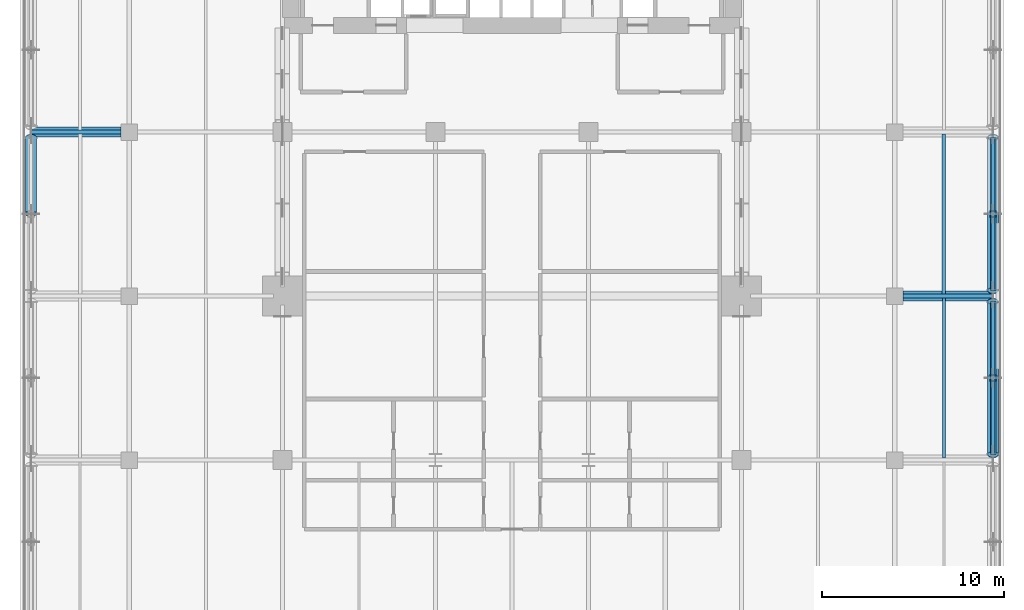
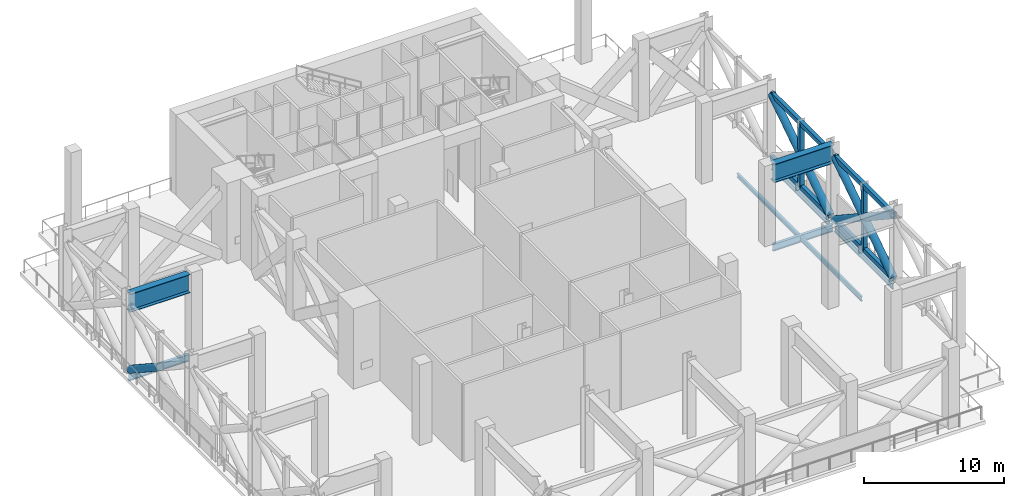
# One storey, part 4 of 16: 12 members, 8 beams.
"""IFC4 building model written with IfcOpenShell, lengths in metres."""

from ifc_helpers import new_model, si_unit, direction, frame, origin, origin_2d, place, context, subcontext, project, spatial, hollow_rectangle, hollow_circle, i_section, extrude, material, material_profile, profile_set, type_object, element, save


model = new_model("IFC4")

# Units and contexts
model_context = context("Model", 3, precision=1e-05, world=origin(), true_north=direction((0.0, 1.0)))
body_context = subcontext(model_context, "Body", "Model", "MODEL_VIEW")
ifc_project = project(units=[si_unit("LENGTHUNIT", "METRE"), si_unit("AREAUNIT", "SQUARE_METRE"), si_unit("VOLUMEUNIT", "CUBIC_METRE"), si_unit("PLANEANGLEUNIT", "RADIAN"), si_unit("MASSUNIT", "GRAM", prefix="KILO")], contexts=[model_context])

# Site, building, storey
site_placement = place(None, origin())
site = spatial("IfcSite", under=ifc_project, at=site_placement, CompositionType="ELEMENT")
building_placement = place(site_placement, origin())
building = spatial("IfcBuilding", under=site, at=building_placement, Name="Maruvema Waterfront Hotel and Observation Tower", CompositionType="ELEMENT")
storey_placement = place(building_placement, frame((0.0, 0.0, 115.5)))
storey = spatial("IfcBuildingStorey", under=building, at=storey_placement, Name="L28", CompositionType="ELEMENT", Elevation=115.5)

# Members
ifc_material_1 = material(Name="Steel ABNT NBR 7007 AR 415 (ASTM A572 Grade 50)", Category="steel")
ifc_material_profile_1 = material_profile(ifc_material_1, hollow_rectangle(XDim=0.300048828125, YDim=0.39990234375, WallThickness=0.02001953125, at=origin_2d()), Name="RHS400x300x20.0")
ifc_profile_set_1 = profile_set([ifc_material_profile_1], Name="Steel ABNT NBR 7007 AR 415 (ASTM A572 Grade 50)")
member_type_1 = type_object("IfcMemberType", Name="Perimeter Belt Truss Chord RHS400x300x20.0", PredefinedType="CHORD", material=ifc_profile_set_1)
for number, where, z_axis, x_axis, name in (
    (1, (64.199951171875, 18.300048828125, 0.25), (0.0, 1.0, 0.0), (-1.0, 0.0, 0.0), "L28 Perimeter Belt Truss Chord E6"),
    (2, (64.199951171875, 18.300048828125, 5.780029296875), (0.0, 1.0, 0.0), (-1.0, 0.0, 0.0), "L28 Perimeter Belt Truss Top Chord E6"),
    (3, (64.199951171875, 27.300048828125, 0.25), (0.0, 1.0, 0.0), (-1.0, 0.0, 0.0), "L28 Perimeter Belt Truss Chord E7"),
    (4, (64.199951171875, 27.300048828125, 5.780029296875), (0.0, 1.0, 0.0), (-1.0, 0.0, 0.0), "L28 Perimeter Belt Truss Top Chord E7"),
):
    element("IfcMember", number, at=place(storey_placement, frame(where, z_axis=z_axis, x_axis=x_axis)), inside=storey, type_object=member_type_1, Name=name, PredefinedType="CHORD", context=body_context, shape_type="SweptSolid", body=[
        extrude(hollow_rectangle(XDim=0.300048828125, YDim=0.39990234375, WallThickness=0.02001953125, at=origin_2d()), origin(), (0.0, 0.0, 1.0), 8.39990234375),
    ])
ifc_material_2 = material(Name="Steel ABNT NBR 7007 AR 350 (ASTM A572 Grade 50)", Category="steel")
ifc_material_profile_2 = material_profile(ifc_material_2, hollow_circle(Radius=0.304931640625, WallThickness=0.02490234375, at=origin_2d()), Name="CHS610.0x25.0")
ifc_profile_set_2 = profile_set([ifc_material_profile_2], Name="Steel ABNT NBR 7007 AR 350 (ASTM A572 Grade 50)")
member_type_2 = type_object("IfcMemberType", Name="Perimeter Belt Truss Diagonal CHS610.0x25.0", PredefinedType="BRACE", material=ifc_profile_set_2)
member_1_placement = place(storey_placement, frame((11.39990234375, 35.699951171875, 0.25), z_axis=(0.0, -0.835260962729, 0.549853729769), x_axis=(1.0, 0.0, 0.0)))
element("IfcMember", 5, at=member_1_placement, inside=storey, type_object=member_type_2, Name="L28 Perimeter Belt Truss Diagonal W3 Split Lower B1", PredefinedType="BRACE", context=body_context, shape_type="SweptSolid", body=[
    extrude(hollow_circle(Radius=0.304931640625, WallThickness=0.02490234375, at=origin_2d()), origin(), (0.0, 0.0, 1.0), 5.008544921875),
])
member_2_placement = place(storey_placement, frame((64.199951171875, 18.300048828125, 0.25), z_axis=(0.0, 0.835244562072, 0.549878642547), x_axis=(-1.0, 0.0, 0.0)))
element("IfcMember", 6, at=member_2_placement, inside=storey, type_object=member_type_2, Name="L28 Perimeter Belt Truss Diagonal E6 Continuous A", PredefinedType="BRACE", context=body_context, shape_type="SweptSolid", body=[
    extrude(hollow_circle(Radius=0.304931640625, WallThickness=0.02490234375, at=origin_2d()), origin(), (0.0, 0.0, 1.0), 10.056884765625),
])
for number, where, z_axis, x_axis, name in (
    (7, (64.199951171875, 26.699951171875, 0.25), (0.0, -0.835260962729, 0.549853729769), (1.0, 0.0, 0.0), "L28 Perimeter Belt Truss Diagonal E6 Split Lower B1"),
    (8, (64.199951171875, 22.4833984375, 3.02587890625), (0.0, -0.835238575042, 0.549887736507), (1.0, 0.0, 0.0), "L28 Perimeter Belt Truss Diagonal E6 Split Upper B2"),
):
    element("IfcMember", number, at=place(storey_placement, frame(where, z_axis=z_axis, x_axis=x_axis)), inside=storey, type_object=member_type_2, Name=name, PredefinedType="BRACE", context=body_context, shape_type="SweptSolid", body=[
        extrude(hollow_circle(Radius=0.304931640625, WallThickness=0.02490234375, at=origin_2d()), origin(), (0.0, 0.0, 1.0), 5.008544921875),
    ])
member_3_placement = place(storey_placement, frame((64.199951171875, 27.300048828125, 0.25), z_axis=(0.0, 0.835244562072, 0.549878642547), x_axis=(-1.0, 0.0, 0.0)))
element("IfcMember", 9, at=member_3_placement, inside=storey, type_object=member_type_2, Name="L28 Perimeter Belt Truss Diagonal E7 Continuous A", PredefinedType="BRACE", context=body_context, shape_type="SweptSolid", body=[
    extrude(hollow_circle(Radius=0.304931640625, WallThickness=0.02490234375, at=origin_2d()), origin(), (0.0, 0.0, 1.0), 10.056884765625),
])
member_4_placement = place(storey_placement, frame((64.199951171875, 31.4833984375, 3.02587890625), z_axis=(0.0, -0.835238575042, 0.549887736507), x_axis=(1.0, 0.0, 0.0)))
element("IfcMember", 10, at=member_4_placement, inside=storey, type_object=member_type_2, Name="L28 Perimeter Belt Truss Diagonal E7 Split Upper B2", PredefinedType="BRACE", context=body_context, shape_type="SweptSolid", body=[
    extrude(hollow_circle(Radius=0.304931640625, WallThickness=0.02490234375, at=origin_2d()), origin(), (0.0, 0.0, 1.0), 5.008544921875),
])
ifc_material_3 = material(Name="Steel ABNT NBR 7007 AR 415 (ASTM A572 Grade 50)", Category="steel")
ifc_material_profile_3 = material_profile(ifc_material_3, hollow_rectangle(XDim=0.35009765625, YDim=0.35009765625, WallThickness=0.02001953125, at=origin_2d()), Name="SHS350x350x20.0")
ifc_profile_set_3 = profile_set([ifc_material_profile_3], Name="Steel ABNT NBR 7007 AR 415 (ASTM A572 Grade 50)")
member_type_3 = type_object("IfcMemberType", Name="Perimeter Belt Truss Post SHS350x350x20.0", PredefinedType="POST", material=ifc_profile_set_3)
for number, where, z_axis, x_axis, name in (
    (11, (64.199951171875, 22.5, 0.25), (0.0, 0.0, 1.0), (1.0, 0.0, 0.0), "L28 Perimeter Belt Truss Post E6"),
    (12, (64.199951171875, 31.5, 0.25), (0.0, 0.0, 1.0), (1.0, 0.0, 0.0), "L28 Perimeter Belt Truss Post E7"),
):
    element("IfcMember", number, at=place(storey_placement, frame(where, z_axis=z_axis, x_axis=x_axis)), inside=storey, type_object=member_type_3, Name=name, PredefinedType="POST", context=body_context, shape_type="SweptSolid", body=[
        extrude(hollow_rectangle(XDim=0.35009765625, YDim=0.35009765625, WallThickness=0.02001953125, at=origin_2d()), origin(), (0.0, 0.0, 1.0), 5.530029296875),
    ])

# Beams
ifc_material_4 = material(Name="Steel ASTM A572 Grade 50", Category="steel")
ifc_material_profile_4 = material_profile(ifc_material_4, i_section(OverallWidth=0.153076171875, OverallDepth=0.455078125, WebThickness=0.008056640625, FlangeThickness=0.01318359375, FilletRadius=0.014892578125, at=origin_2d()), Name="W460x60.0")
ifc_profile_set_4 = profile_set([ifc_material_profile_4], Name="Steel ASTM A572 Grade 50")
beam_type_1 = type_object("IfcBeamType", Name="Perimeter Spandrel Beam W460x60.0", PredefinedType="SPANDREL", material=ifc_profile_set_4)
for number, where, z_axis, x_axis, name in (
    (13, (64.199951171875, 18.35009765625, -0.527587890625), (0.0, 1.0, 0.0), (-1.0, 0.0, 0.0), "L28 Floor Girder NS-34"),
    (14, (64.199951171875, 27.35009765625, -0.527587890625), (0.0, 1.0, 0.0), (-1.0, 0.0, 0.0), "L28 Floor Girder NS-35"),
):
    element("IfcBeam", number, at=place(storey_placement, frame(where, z_axis=z_axis, x_axis=x_axis)), inside=storey, type_object=beam_type_1, Name=name, PredefinedType="SPANDREL", context=body_context, shape_type="SweptSolid", body=[
        extrude(i_section(OverallWidth=0.153076171875, OverallDepth=0.455078125, WebThickness=0.008056640625, FlangeThickness=0.01318359375, FilletRadius=0.014892578125, at=origin_2d()), origin(), (0.0, 0.0, 1.0), 8.2998046875),
    ])
ifc_material_5 = material(Name="Steel ASTM A572 Grade 50", Category="steel")
ifc_material_profile_5 = material_profile(ifc_material_5, i_section(OverallWidth=0.22900390625, OverallDepth=0.612060546875, WebThickness=0.011962890625, FlangeThickness=0.01953125, FilletRadius=0.01806640625, at=origin_2d()), Name="W610x125.0")
ifc_profile_set_5 = profile_set([ifc_material_profile_5], Name="Steel ASTM A572 Grade 50")
beam_type_2 = type_object("IfcBeamType", Name="Primary Floor Girder W610x125.0", PredefinedType="BEAM", material=ifc_profile_set_5)
for number, where, z_axis, x_axis, name in (
    (15, (59.25, 27.0, -0.60595703125), (1.0, 0.0, 0.0), (0.0, 1.0, 0.0), "L28 Floor Girder EW-24"),
    (16, (11.4140625, 36.0, -0.60595703125), (1.0, 0.0, 0.0), (0.0, 1.0, 0.0), "L28 Floor Girder EW-25"),
):
    element("IfcBeam", number, at=place(storey_placement, frame(where, z_axis=z_axis, x_axis=x_axis)), inside=storey, type_object=beam_type_2, Name=name, PredefinedType="BEAM", context=body_context, shape_type="SweptSolid", body=[
        extrude(i_section(OverallWidth=0.22900390625, OverallDepth=0.612060546875, WebThickness=0.011962890625, FlangeThickness=0.01953125, FilletRadius=0.01806640625, at=origin_2d()), origin(), (0.0, 0.0, 1.0), 4.93603515625),
    ])
ifc_material_6 = material(Name="Steel ASTM A572 Grade 50", Category="steel")
ifc_material_profile_6 = material_profile(ifc_material_6, i_section(OverallWidth=0.202880859375, OverallDepth=0.346923828125, WebThickness=0.0078125, FlangeThickness=0.013427734375, FilletRadius=0.014892578125, at=origin_2d()), Name="W360x64.0")
ifc_profile_set_6 = profile_set([ifc_material_profile_6], Name="Steel ASTM A572 Grade 50")
beam_type_3 = type_object("IfcBeamType", Name="Secondary Floor Joist W360x64.0", PredefinedType="JOIST", material=ifc_profile_set_6)
beam_1_placement = place(storey_placement, frame((61.5, 27.114501953125, -0.473388671875), z_axis=(0.0, 1.0, 0.0), x_axis=(-1.0, 0.0, 0.0)))
element("IfcBeam", 17, at=beam_1_placement, inside=storey, type_object=beam_type_3, Name="L28 Secondary Floor Joist JS-23", PredefinedType="JOIST", context=body_context, shape_type="SweptSolid", body=[
    extrude(i_section(OverallWidth=0.202880859375, OverallDepth=0.346923828125, WebThickness=0.0078125, FlangeThickness=0.013427734375, FilletRadius=0.014892578125, at=origin_2d()), origin(), (0.0, 0.0, 1.0), 8.77099609375),
])
ifc_material_7 = material(Name="Steel ASTM A572 Grade 50", Category="steel")
ifc_material_profile_7 = material_profile(ifc_material_7, i_section(OverallWidth=0.177001953125, OverallDepth=0.403076171875, WebThickness=0.007568359375, FlangeThickness=0.010986328125, FilletRadius=0.014892578125, at=origin_2d()), Name="W410x53.0")
ifc_profile_set_7 = profile_set([ifc_material_profile_7], Name="Steel ASTM A572 Grade 50")
beam_type_4 = type_object("IfcBeamType", Name="Secondary Floor Joist W410x53.0", PredefinedType="JOIST", material=ifc_profile_set_7)
beam_2_placement = place(storey_placement, frame((61.5, 18.114501953125, -0.50146484375), z_axis=(0.0, 1.0, 0.0), x_axis=(-1.0, 0.0, 0.0)))
element("IfcBeam", 18, at=beam_2_placement, inside=storey, type_object=beam_type_4, Name="L28 Secondary Floor Joist JS-22", PredefinedType="JOIST", context=body_context, shape_type="SweptSolid", body=[
    extrude(i_section(OverallWidth=0.177001953125, OverallDepth=0.403076171875, WebThickness=0.007568359375, FlangeThickness=0.010986328125, FilletRadius=0.014892578125, at=origin_2d()), origin(), (0.0, 0.0, 1.0), 8.77099609375),
])
ifc_material_8 = material(Name="Steel ABNT NBR 7007 AR 415 (ASTM A572 Grade 50)", Category="steel")
ifc_material_profile_8 = material_profile(ifc_material_8, i_section(OverallWidth=0.550048828125, OverallDepth=1.60009765625, WebThickness=0.02197265625, FlangeThickness=0.0400390625, at=origin_2d()), Name="VS1600x548")
ifc_profile_set_8 = profile_set([ifc_material_profile_8], Name="Steel ABNT NBR 7007 AR 415 (ASTM A572 Grade 50)")
beam_type_5 = type_object("IfcBeamType", Name="Setback Transfer Girder VS1600x548", PredefinedType="USERDEFINED", material=ifc_profile_set_8)
for number, where, z_axis, x_axis, name in (
    (19, (59.25, 27.0, 5.9599609375), (1.0, 0.0, 0.0), (0.0, 1.0, 0.0), "L28 Setback Transfer Girder E Y=27.0m"),
    (20, (11.4140625, 36.0, 5.9599609375), (1.0, 0.0, 0.0), (0.0, 1.0, 0.0), "L28 Setback Transfer Girder W Y=36.0m"),
):
    element("IfcBeam", number, at=place(storey_placement, frame(where, z_axis=z_axis, x_axis=x_axis)), inside=storey, type_object=beam_type_5, Name=name, ObjectType="TRANSFER GIRDER", PredefinedType="USERDEFINED", context=body_context, shape_type="SweptSolid", body=[
        extrude(i_section(OverallWidth=0.550048828125, OverallDepth=1.60009765625, WebThickness=0.02197265625, FlangeThickness=0.0400390625, at=origin_2d()), origin(), (0.0, 0.0, 1.0), 4.93603515625),
    ])

save(model, "model.ifc")
